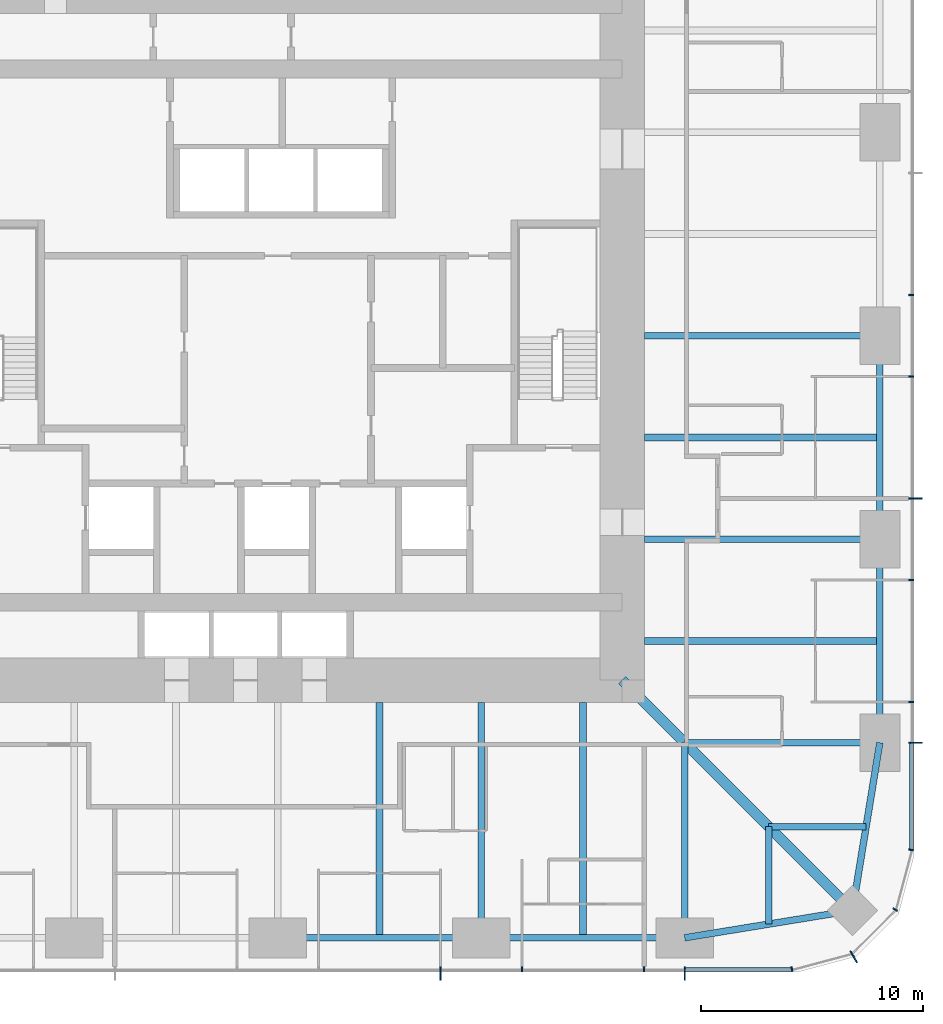
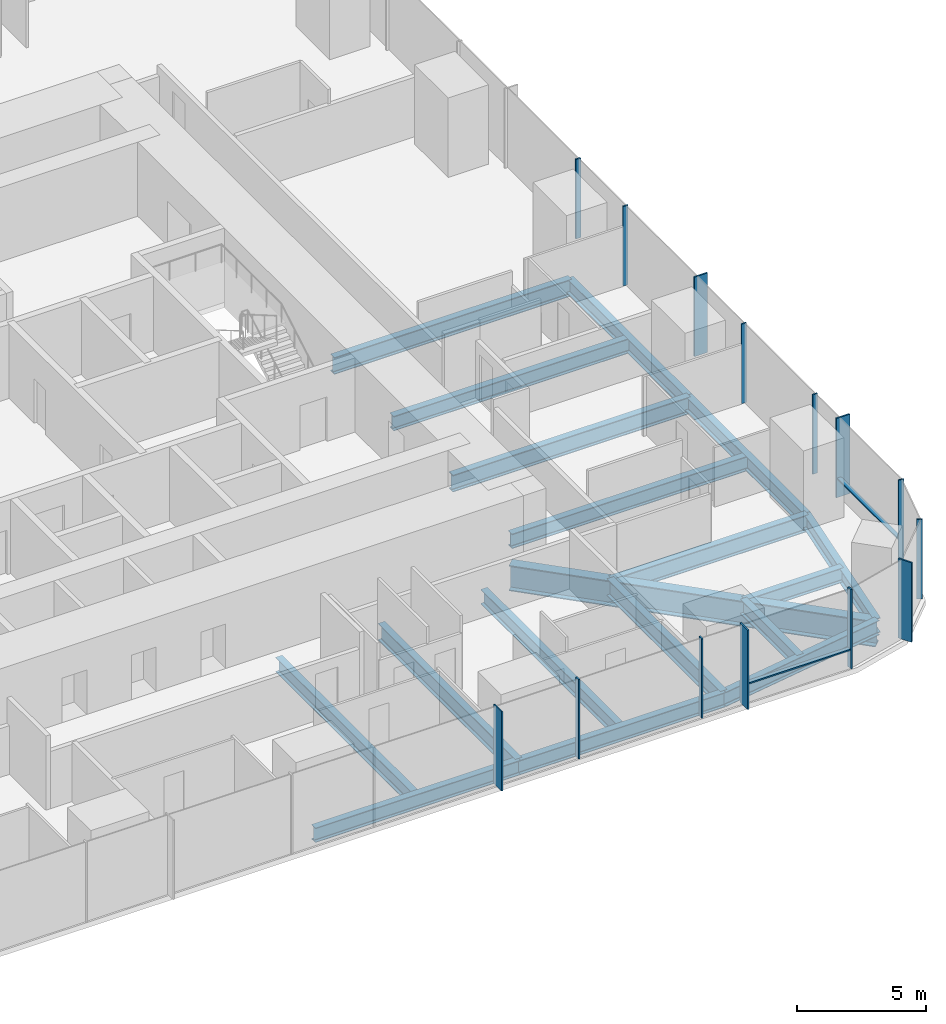
# One storey, part 4 of 13: 18 beams, 16 members, 3 elements without a shape of their own.
"""IFC4 building model written with IfcOpenShell, lengths in metres."""

from ifc_helpers import new_model, si_unit, direction, frame, origin, origin_2d, place, context, subcontext, project, spatial, rectangle, i_section, extrude, material, material_profile, profile_set, type_object, element, aggregate, save


model = new_model("IFC4")

# Units and contexts
model_context = context("Model", 3, precision=1e-05, world=origin(), true_north=direction((0.0, 1.0)))
body_context = subcontext(model_context, "Body", "Model", "MODEL_VIEW")
ifc_project = project(units=[si_unit("LENGTHUNIT", "METRE"), si_unit("AREAUNIT", "SQUARE_METRE"), si_unit("VOLUMEUNIT", "CUBIC_METRE"), si_unit("PLANEANGLEUNIT", "RADIAN"), si_unit("MASSUNIT", "GRAM", prefix="KILO")], contexts=[model_context])

# Site, building, storey
site_placement = place(None, origin())
site = spatial("IfcSite", under=ifc_project, at=site_placement, CompositionType="ELEMENT")
building_placement = place(site_placement, origin())
building = spatial("IfcBuilding", under=site, at=building_placement, Name="Khuree Lantern Residences", CompositionType="ELEMENT")
storey_placement = place(building_placement, frame((0.0, 0.0, 152.25)))
storey = spatial("IfcBuildingStorey", under=building, at=storey_placement, Name="L38", CompositionType="ELEMENT", Elevation=152.25)

# Beams
ifc_material_1 = material(Name="Steel S355", Category="steel")
ifc_material_profile_1 = material_profile(ifc_material_1, i_section(OverallWidth=0.300048828125, OverallDepth=0.68994140625, WebThickness=0.014404296875, FlangeThickness=0.027099609375, FilletRadius=0.027099609375, at=origin_2d()), Name="HE 700 A")
ifc_profile_set_1 = profile_set([ifc_material_profile_1], Name="Steel S355")
beam_type_1 = type_object("IfcBeamType", Name="B-24 SECONDARY BEAM HE 700 A", PredefinedType="BEAM", material=ifc_profile_set_1)
for number, where, z_axis, x_axis, name in (
    (1, (27.10009765625, -4.580078125, -0.594970703125), (-1.0, 0.0, 0.0), (0.0, -1.0, 0.0), "Secondary beam E4"),
    (2, (27.10009765625, -13.739990234375, -0.594970703125), (-1.0, 0.0, 0.0), (0.0, -1.0, 0.0), "Secondary beam E5"),
):
    element("IfcBeam", number, at=place(storey_placement, frame(where, z_axis=z_axis, x_axis=x_axis)), inside=storey, type_object=beam_type_1, Name=name, PredefinedType="BEAM", context=body_context, shape_type="SweptSolid", body=[
        extrude(i_section(OverallWidth=0.300048828125, OverallDepth=0.68994140625, WebThickness=0.014404296875, FlangeThickness=0.027099609375, FilletRadius=0.027099609375, at=origin_2d()), origin(), (0.0, 0.0, 1.0), 10.60009765625),
    ])
for number, where, z_axis, x_axis, name in (
    (3, (26.48486328125, -22.094970703125, -0.594970703125), (-1.0, 0.0, 0.0), (0.0, -1.0, 0.0), "Secondary beam E6"),
    (4, (22.094970703125, -26.48486328125, -0.594970703125), (0.0, 1.0, 0.0), (-1.0, 0.0, 0.0), "Secondary beam S1"),
):
    element("IfcBeam", number, at=place(storey_placement, frame(where, z_axis=z_axis, x_axis=x_axis)), inside=storey, type_object=beam_type_1, Name=name, PredefinedType="BEAM", context=body_context, shape_type="SweptSolid", body=[
        extrude(i_section(OverallWidth=0.300048828125, OverallDepth=0.68994140625, WebThickness=0.014404296875, FlangeThickness=0.027099609375, FilletRadius=0.027099609375, at=origin_2d()), origin(), (0.0, 0.0, 1.0), 4.389892578125),
    ])
for number, where, z_axis, x_axis, name in (
    (5, (13.739990234375, -27.10009765625, -0.594970703125), (0.0, 1.0, 0.0), (-1.0, 0.0, 0.0), "Secondary beam S2"),
    (6, (4.580078125, -27.10009765625, -0.594970703125), (0.0, 1.0, 0.0), (-1.0, 0.0, 0.0), "Secondary beam S3"),
):
    element("IfcBeam", number, at=place(storey_placement, frame(where, z_axis=z_axis, x_axis=x_axis)), inside=storey, type_object=beam_type_1, Name=name, PredefinedType="BEAM", context=body_context, shape_type="SweptSolid", body=[
        extrude(i_section(OverallWidth=0.300048828125, OverallDepth=0.68994140625, WebThickness=0.014404296875, FlangeThickness=0.027099609375, FilletRadius=0.027099609375, at=origin_2d()), origin(), (0.0, 0.0, 1.0), 10.60009765625),
    ])
ifc_material_profile_2 = material_profile(ifc_material_1, i_section(OverallWidth=0.300048828125, OverallDepth=0.68994140625, WebThickness=0.014404296875, FlangeThickness=0.027099609375, FilletRadius=0.027099609375, at=origin_2d()), Name="HE 700 A")
ifc_profile_set_2 = profile_set([ifc_material_profile_2], Name="Steel S355")
beam_type_2 = type_object("IfcBeamType", Name="E-24 SPANDREL BEAM HE 700 A", PredefinedType="SPANDREL", material=ifc_profile_set_2)
beam_1_placement = place(storey_placement, frame((27.10009765625, 0.0, -0.594970703125), z_axis=(0.0, -1.0, 0.0), x_axis=(1.0, 0.0, 0.0)))
element("IfcBeam", 7, at=beam_1_placement, inside=storey, type_object=beam_type_2, Name="Spandrel beam E4", PredefinedType="SPANDREL", context=body_context, shape_type="SweptSolid", body=[
    extrude(i_section(OverallWidth=0.300048828125, OverallDepth=0.68994140625, WebThickness=0.014404296875, FlangeThickness=0.027099609375, FilletRadius=0.027099609375, at=origin_2d()), origin(), (0.0, 0.0, 1.0), 9.159912109375),
])
beam_2_placement = place(storey_placement, frame((27.10009765625, -9.159912109375, -0.594970703125), z_axis=(0.0, -1.0, 0.0), x_axis=(1.0, 0.0, 0.0)))
element("IfcBeam", 8, at=beam_2_placement, inside=storey, type_object=beam_type_2, Name="Spandrel beam E5", PredefinedType="SPANDREL", context=body_context, shape_type="SweptSolid", body=[
    extrude(i_section(OverallWidth=0.300048828125, OverallDepth=0.68994140625, WebThickness=0.014404296875, FlangeThickness=0.027099609375, FilletRadius=0.027099609375, at=origin_2d()), origin(), (0.0, 0.0, 1.0), 9.16015625),
])
for number, where, z_axis, x_axis, name in (
    (9, (27.10009765625, -18.320068359375, -0.594970703125), (-0.160826723833, -0.986982656839, 0.0), (0.986982656839, -0.160826723833, 0.0), "Spandrel beam E6"),
    (10, (25.869873046875, -25.869873046875, -0.594970703125), (-0.986982656839, -0.160826723833, 0.0), (0.160826723833, -0.986982656839, 0.0), "Spandrel beam S1"),
):
    element("IfcBeam", number, at=place(storey_placement, frame(where, z_axis=z_axis, x_axis=x_axis)), inside=storey, type_object=beam_type_2, Name=name, PredefinedType="SPANDREL", context=body_context, shape_type="SweptSolid", body=[
        extrude(i_section(OverallWidth=0.300048828125, OverallDepth=0.68994140625, WebThickness=0.014404296875, FlangeThickness=0.027099609375, FilletRadius=0.027099609375, at=origin_2d()), origin(), (0.0, 0.0, 1.0), 7.6494140625),
    ])
beam_3_placement = place(storey_placement, frame((18.320068359375, -27.10009765625, -0.594970703125), z_axis=(-1.0, 0.0, 0.0), x_axis=(0.0, -1.0, 0.0)))
element("IfcBeam", 11, at=beam_3_placement, inside=storey, type_object=beam_type_2, Name="Spandrel beam S2", PredefinedType="SPANDREL", context=body_context, shape_type="SweptSolid", body=[
    extrude(i_section(OverallWidth=0.300048828125, OverallDepth=0.68994140625, WebThickness=0.014404296875, FlangeThickness=0.027099609375, FilletRadius=0.027099609375, at=origin_2d()), origin(), (0.0, 0.0, 1.0), 9.16015625),
])
beam_4_placement = place(storey_placement, frame((9.159912109375, -27.10009765625, -0.594970703125), z_axis=(-1.0, 0.0, 0.0), x_axis=(0.0, -1.0, 0.0)))
element("IfcBeam", 12, at=beam_4_placement, inside=storey, type_object=beam_type_2, Name="Spandrel beam S3", PredefinedType="SPANDREL", context=body_context, shape_type="SweptSolid", body=[
    extrude(i_section(OverallWidth=0.300048828125, OverallDepth=0.68994140625, WebThickness=0.014404296875, FlangeThickness=0.027099609375, FilletRadius=0.027099609375, at=origin_2d()), origin(), (0.0, 0.0, 1.0), 9.159912109375),
])

# Curtain wall, member
ifc_material_2 = material(Name="Bronze anodised aluminium", Category="aluminium")
curtain_wall_type_1 = type_object("IfcCurtainWallType", Name="CW-T2 TOWER CORNER CURTAIN WALL", PredefinedType="USERDEFINED", material=ifc_material_2)
curtain_wall_1_placement = place(storey_placement, origin())
curtain_wall_1 = element("IfcCurtainWall", 13, at=curtain_wall_1_placement, inside=storey, type_object=curtain_wall_type_1, Name="L38 SOUTH-EAST CORNER CURTAIN WALL", ObjectType="Faceted corner curtain wall", PredefinedType="USERDEFINED")
ifc_material_profile_3 = material_profile(ifc_material_2, rectangle(XDim=0.06494140625, YDim=0.60009765625, at=origin_2d()), Name="F1 65X600")
ifc_profile_set_3 = profile_set([ifc_material_profile_3], Name="Bronze anodised aluminium")
member_type_1 = type_object("IfcMemberType", Name="F1 BRONZE FIN MULLION TOWER 65X600", PredefinedType="MULLION", material=ifc_profile_set_3)
member_1_placement = place(storey_placement, frame((25.925048828125, -27.95654296875, 0.0), z_axis=(0.0, 0.0, 1.0), x_axis=(0.866025388199, 0.500000026995, 0.0)))
member_1 = element("IfcMember", 14, at=member_1_placement, type_object=member_type_1, Name="L38 SOUTH-EAST CORNER FIN MULLION 2", PredefinedType="MULLION", context=body_context, shape_type="SweptSolid", body=[
    extrude(rectangle(XDim=0.06494140625, YDim=0.60009765625, at=origin_2d()), origin(), (0.0, 0.0, 1.0), 3.75),
])

# Curtain wall, members
curtain_wall_type_2 = type_object("IfcCurtainWallType", Name="CW-T1 TOWER FACE CURTAIN WALL", PredefinedType="USERDEFINED", material=ifc_material_2)
curtain_wall_2_placement = place(storey_placement, origin())
curtain_wall_2 = element("IfcCurtainWall", 15, at=curtain_wall_2_placement, inside=storey, type_object=curtain_wall_type_2, Name="L38 EAST FACE CURTAIN WALL", ObjectType="Stick-built curtain wall", PredefinedType="USERDEFINED")
member_2_placement = place(storey_placement, frame((28.699951171875, -18.320068359375, 0.0), z_axis=(0.0, 0.0, 1.0), x_axis=(0.0, 1.0, 0.0)))
member_2 = element("IfcMember", 16, at=member_2_placement, type_object=member_type_1, Name="L38 EAST FACE FIN MULLION 5", PredefinedType="MULLION", context=body_context, shape_type="SweptSolid", body=[
    extrude(rectangle(XDim=0.06494140625, YDim=0.60009765625, at=origin_2d()), origin(), (0.0, 0.0, 1.0), 3.75),
])
member_3_placement = place(storey_placement, frame((28.699951171875, -7.327880859375, 0.0), z_axis=(0.0, 0.0, 1.0), x_axis=(0.0, 1.0, 0.0)))
member_3 = element("IfcMember", 17, at=member_3_placement, type_object=member_type_1, Name="L38 EAST FACE FIN MULLION 8", PredefinedType="MULLION", context=body_context, shape_type="SweptSolid", body=[
    extrude(rectangle(XDim=0.06494140625, YDim=0.60009765625, at=origin_2d()), origin(), (0.0, 0.0, 1.0), 3.75),
])

curtain_wall_3_placement = place(storey_placement, origin())
curtain_wall_3 = element("IfcCurtainWall", 18, at=curtain_wall_3_placement, inside=storey, type_object=curtain_wall_type_2, Name="L38 SOUTH FACE CURTAIN WALL", ObjectType="Stick-built curtain wall", PredefinedType="USERDEFINED")
member_4_placement = place(storey_placement, frame((7.327880859375, -28.699951171875, 0.0), z_axis=(0.0, 0.0, 1.0), x_axis=(1.0, 0.0, 0.0)))
member_4 = element("IfcMember", 19, at=member_4_placement, type_object=member_type_1, Name="L38 SOUTH FACE FIN MULLION 53", PredefinedType="MULLION", context=body_context, shape_type="SweptSolid", body=[
    extrude(rectangle(XDim=0.06494140625, YDim=0.60009765625, at=origin_2d()), origin(), (0.0, 0.0, 1.0), 3.75),
])
member_5_placement = place(storey_placement, frame((18.320068359375, -28.699951171875, 0.0), z_axis=(0.0, 0.0, 1.0), x_axis=(1.0, 0.0, 0.0)))
member_5 = element("IfcMember", 20, at=member_5_placement, type_object=member_type_1, Name="L38 SOUTH FACE FIN MULLION 56", PredefinedType="MULLION", context=body_context, shape_type="SweptSolid", body=[
    extrude(rectangle(XDim=0.06494140625, YDim=0.60009765625, at=origin_2d()), origin(), (0.0, 0.0, 1.0), 3.75),
])

# Beams
ifc_material_profile_4 = material_profile(ifc_material_1, i_section(OverallWidth=0.300048828125, OverallDepth=0.800048828125, WebThickness=0.017578125, FlangeThickness=0.032958984375, FilletRadius=0.030029296875, at=origin_2d()), Name="HE 800 B")
ifc_profile_set_4 = profile_set([ifc_material_profile_4], Name="Steel S355")
beam_type_3 = type_object("IfcBeamType", Name="G-24 GIRDER HE 800 B", PredefinedType="BEAM", material=ifc_profile_set_4)
for number, where, z_axis, x_axis, name in (
    (21, (27.10009765625, 0.0, -0.64990234375), (-1.0, 0.0, 0.0), (0.0, -1.0, 0.0), "Girder E3"),
    (22, (27.10009765625, -9.159912109375, -0.64990234375), (-1.0, 0.0, 0.0), (0.0, -1.0, 0.0), "Girder E4"),
):
    element("IfcBeam", number, at=place(storey_placement, frame(where, z_axis=z_axis, x_axis=x_axis)), inside=storey, type_object=beam_type_3, Name=name, PredefinedType="BEAM", context=body_context, shape_type="SweptSolid", body=[
        extrude(i_section(OverallWidth=0.300048828125, OverallDepth=0.800048828125, WebThickness=0.017578125, FlangeThickness=0.032958984375, FilletRadius=0.030029296875, at=origin_2d()), origin(), (0.0, 0.0, 1.0), 10.60009765625),
    ])
for number, where, z_axis, x_axis, name in (
    (23, (27.10009765625, -18.320068359375, -0.64990234375), (-1.0, 0.0, 0.0), (0.0, -1.0, 0.0), "Girder E5"),
    (24, (18.320068359375, -27.10009765625, -0.64990234375), (0.0, 1.0, 0.0), (-1.0, 0.0, 0.0), "Girder S1"),
):
    element("IfcBeam", number, at=place(storey_placement, frame(where, z_axis=z_axis, x_axis=x_axis)), inside=storey, type_object=beam_type_3, Name=name, PredefinedType="BEAM", context=body_context, shape_type="SweptSolid", body=[
        extrude(i_section(OverallWidth=0.300048828125, OverallDepth=0.800048828125, WebThickness=0.017578125, FlangeThickness=0.032958984375, FilletRadius=0.030029296875, at=origin_2d()), origin(), (0.0, 0.0, 1.0), 8.780029296875),
    ])
beam_5_placement = place(storey_placement, frame((9.159912109375, -27.10009765625, -0.64990234375), z_axis=(0.0, 1.0, 0.0), x_axis=(-1.0, 0.0, 0.0)))
element("IfcBeam", 25, at=beam_5_placement, inside=storey, type_object=beam_type_3, Name="Girder S2", PredefinedType="BEAM", context=body_context, shape_type="SweptSolid", body=[
    extrude(i_section(OverallWidth=0.300048828125, OverallDepth=0.800048828125, WebThickness=0.017578125, FlangeThickness=0.032958984375, FilletRadius=0.030029296875, at=origin_2d()), origin(), (0.0, 0.0, 1.0), 10.60009765625),
])
ifc_material_profile_5 = material_profile(ifc_material_1, i_section(OverallWidth=0.449951171875, OverallDepth=1.199951171875, WebThickness=0.02490234375, FlangeThickness=0.044921875, at=origin_2d()), Name="WELDED I 1200X450X25X45")
ifc_profile_set_5 = profile_set([ifc_material_profile_5], Name="Steel S355")
beam_type_4 = type_object("IfcBeamType", Name="GD-24 CORNER GIRDER WELDED I 1200X450X25X45", PredefinedType="BEAM", material=ifc_profile_set_5)
beam_6_placement = place(storey_placement, frame((25.869873046875, -25.869873046875, -0.85009765625), z_axis=(-0.707106781187, 0.707106781187, 0.0), x_axis=(-0.707106781187, -0.707106781187, 0.0)))
element("IfcBeam", 26, at=beam_6_placement, inside=storey, type_object=beam_type_4, Name="Corner girder SE", PredefinedType="BEAM", context=body_context, shape_type="SweptSolid", body=[
    extrude(i_section(OverallWidth=0.449951171875, OverallDepth=1.199951171875, WebThickness=0.02490234375, FlangeThickness=0.044921875, at=origin_2d()), origin(), (0.0, 0.0, 1.0), 14.665283203125),
])

# Member
ifc_material_profile_6 = material_profile(ifc_material_2, rectangle(XDim=0.06494140625, YDim=0.219970703125, at=origin_2d()), Name="M1 65X220")
ifc_profile_set_6 = profile_set([ifc_material_profile_6], Name="Bronze anodised aluminium")
member_type_2 = type_object("IfcMemberType", Name="M1 BRONZE MULLION TOWER 65X220", PredefinedType="MULLION", material=ifc_profile_set_6)
member_6_placement = place(storey_placement, frame((23.14501953125, -28.51171875, 0.0), z_axis=(0.0, 0.0, 1.0), x_axis=(0.991444857305, 0.130526223125, 0.0)))
member_6 = element("IfcMember", 27, at=member_6_placement, type_object=member_type_2, Name="L38 SOUTH-EAST CORNER MULLION 1", PredefinedType="MULLION", context=body_context, shape_type="SweptSolid", body=[
    extrude(rectangle(XDim=0.06494140625, YDim=0.219970703125, at=origin_2d()), origin(), (0.0, 0.0, 1.0), 3.75),
])

member_7_placement = place(storey_placement, frame((27.7919921875, -25.830078125, 0.0), z_axis=(0.0, 0.0, 1.0), x_axis=(0.500000026995, 0.866025388199, 0.0)))
member_7 = element("IfcMember", 28, at=member_7_placement, type_object=member_type_2, Name="L38 SOUTH-EAST CORNER MULLION 3", PredefinedType="MULLION", context=body_context, shape_type="SweptSolid", body=[
    extrude(rectangle(XDim=0.06494140625, YDim=0.219970703125, at=origin_2d()), origin(), (0.0, 0.0, 1.0), 3.75),
])

aggregate(curtain_wall_1, [member_6, member_1, member_7])

member_8_placement = place(storey_placement, frame((28.51171875, -23.14501953125, 0.0), z_axis=(0.0, 0.0, 1.0), x_axis=(0.130526223125, 0.991444857305, 0.0)))
member_8 = element("IfcMember", 29, at=member_8_placement, type_object=member_type_2, Name="L38 EAST FACE MULLION 4", PredefinedType="MULLION", context=body_context, shape_type="SweptSolid", body=[
    extrude(rectangle(XDim=0.06494140625, YDim=0.219970703125, at=origin_2d()), origin(), (0.0, 0.0, 1.0), 3.75),
])

member_9_placement = place(storey_placement, frame((28.510009765625, -16.488037109375, 0.0), z_axis=(0.0, 0.0, 1.0), x_axis=(0.0, 1.0, 0.0)))
member_9 = element("IfcMember", 30, at=member_9_placement, type_object=member_type_2, Name="L38 EAST FACE MULLION 6", PredefinedType="MULLION", context=body_context, shape_type="SweptSolid", body=[
    extrude(rectangle(XDim=0.06494140625, YDim=0.219970703125, at=origin_2d()), origin(), (0.0, 0.0, 1.0), 3.75),
])

member_10_placement = place(storey_placement, frame((28.510009765625, -10.991943359375, 0.0), z_axis=(0.0, 0.0, 1.0), x_axis=(0.0, 1.0, 0.0)))
member_10 = element("IfcMember", 31, at=member_10_placement, type_object=member_type_2, Name="L38 EAST FACE MULLION 7", PredefinedType="MULLION", context=body_context, shape_type="SweptSolid", body=[
    extrude(rectangle(XDim=0.06494140625, YDim=0.219970703125, at=origin_2d()), origin(), (0.0, 0.0, 1.0), 3.75),
])

member_11_placement = place(storey_placement, frame((28.510009765625, -1.83203125, 0.0), z_axis=(0.0, 0.0, 1.0), x_axis=(0.0, 1.0, 0.0)))
member_11 = element("IfcMember", 32, at=member_11_placement, type_object=member_type_2, Name="L38 EAST FACE MULLION 9", PredefinedType="MULLION", context=body_context, shape_type="SweptSolid", body=[
    extrude(rectangle(XDim=0.06494140625, YDim=0.219970703125, at=origin_2d()), origin(), (0.0, 0.0, 1.0), 3.75),
])

member_12_placement = place(storey_placement, frame((28.510009765625, 1.83203125, 0.0), z_axis=(0.0, 0.0, 1.0), x_axis=(0.0, 1.0, 0.0)))
member_12 = element("IfcMember", 33, at=member_12_placement, type_object=member_type_2, Name="L38 EAST FACE MULLION 10", PredefinedType="MULLION", context=body_context, shape_type="SweptSolid", body=[
    extrude(rectangle(XDim=0.06494140625, YDim=0.219970703125, at=origin_2d()), origin(), (0.0, 0.0, 1.0), 3.75),
])

member_13_placement = place(storey_placement, frame((10.991943359375, -28.510009765625, 0.0), z_axis=(0.0, 0.0, 1.0), x_axis=(1.0, 0.0, 0.0)))
member_13 = element("IfcMember", 34, at=member_13_placement, type_object=member_type_2, Name="L38 SOUTH FACE MULLION 54", PredefinedType="MULLION", context=body_context, shape_type="SweptSolid", body=[
    extrude(rectangle(XDim=0.06494140625, YDim=0.219970703125, at=origin_2d()), origin(), (0.0, 0.0, 1.0), 3.75),
])

member_14_placement = place(storey_placement, frame((16.488037109375, -28.510009765625, 0.0), z_axis=(0.0, 0.0, 1.0), x_axis=(1.0, 0.0, 0.0)))
member_14 = element("IfcMember", 35, at=member_14_placement, type_object=member_type_2, Name="L38 SOUTH FACE MULLION 55", PredefinedType="MULLION", context=body_context, shape_type="SweptSolid", body=[
    extrude(rectangle(XDim=0.06494140625, YDim=0.219970703125, at=origin_2d()), origin(), (0.0, 0.0, 1.0), 3.75),
])

ifc_material_profile_7 = material_profile(ifc_material_2, rectangle(XDim=0.179931640625, YDim=0.06494140625, at=origin_2d()), Name="T1 180X65")
ifc_profile_set_7 = profile_set([ifc_material_profile_7], Name="Bronze anodised aluminium")
member_type_3 = type_object("IfcMemberType", Name="TRANSOM T1 TOWER 180X65", PredefinedType="USERDEFINED", material=ifc_profile_set_7)
member_15_placement = place(storey_placement, frame((28.52001953125, -23.101318359375, 0.89990234375), z_axis=(0.0, 1.0, 0.0), x_axis=(-1.0, 0.0, 0.0)))
member_15 = element("IfcMember", 36, at=member_15_placement, type_object=member_type_3, Name="L38 EAST FACE TRANSOM 4.1", ObjectType="Transom", PredefinedType="USERDEFINED", context=body_context, shape_type="SweptSolid", body=[
    extrude(rectangle(XDim=0.179931640625, YDim=0.06494140625, at=origin_2d()), origin(), (0.0, 0.0, 1.0), 4.748779296875),
])

aggregate(curtain_wall_2, [member_8, member_2, member_9, member_10, member_3, member_11, member_12, member_15])

member_16_placement = place(storey_placement, frame((18.3525390625, -28.52001953125, 0.89990234375), z_axis=(1.0, 0.0, 0.0), x_axis=(0.0, 1.0, 0.0)))
member_16 = element("IfcMember", 37, at=member_16_placement, type_object=member_type_3, Name="L38 SOUTH FACE TRANSOM 56.1", ObjectType="Transom", PredefinedType="USERDEFINED", context=body_context, shape_type="SweptSolid", body=[
    extrude(rectangle(XDim=0.179931640625, YDim=0.06494140625, at=origin_2d()), origin(), (0.0, 0.0, 1.0), 4.748779296875),
])

aggregate(curtain_wall_3, [member_4, member_13, member_14, member_5, member_16])

save(model, "model.ifc")
